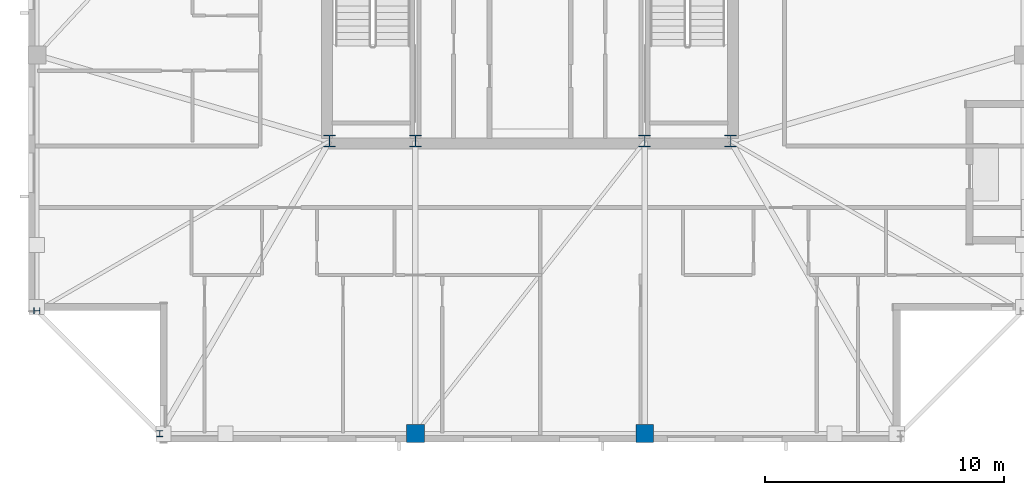
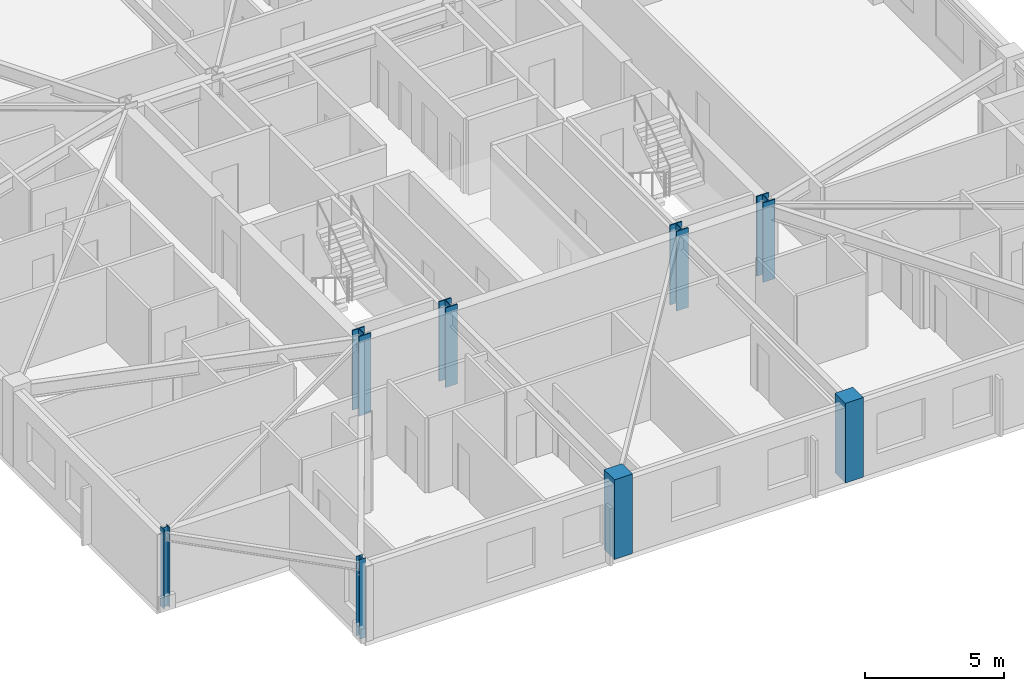
# One storey, part 1 of 15: 8 columns.
"""IFC4 building model written with IfcOpenShell, lengths in metres."""

from ifc_helpers import new_model, si_unit, direction, frame, origin, origin_2d, place, context, subcontext, project, spatial, rectangle, i_section, extrude, material, material_profile, profile_set, type_object, element, save


model = new_model("IFC4")

# Units and contexts
model_context = context("Model", 3, precision=1e-05, world=origin(), true_north=direction((0.0, 1.0)))
body_context = subcontext(model_context, "Body", "Model", "MODEL_VIEW")
ifc_project = project(units=[si_unit("LENGTHUNIT", "METRE"), si_unit("AREAUNIT", "SQUARE_METRE"), si_unit("VOLUMEUNIT", "CUBIC_METRE"), si_unit("PLANEANGLEUNIT", "RADIAN"), si_unit("MASSUNIT", "GRAM", prefix="KILO")], contexts=[model_context])

# Site, building, storey
site_placement = place(None, origin())
site = spatial("IfcSite", under=ifc_project, at=site_placement, CompositionType="ELEMENT")
building_placement = place(site_placement, origin())
building = spatial("IfcBuilding", under=site, at=building_placement, Name="Cairnveth Concourse Tower", CompositionType="ELEMENT")
storey_placement = place(building_placement, frame((0.0, 0.0, 291.0)))
storey = spatial("IfcBuildingStorey", under=building, at=storey_placement, Name="L80", CompositionType="ELEMENT", Elevation=291.0)

# Columns
ifc_material_1 = material(Name="Concrete N50 (50 MPa)", Category="concrete")
ifc_material_profile_1 = material_profile(ifc_material_1, rectangle(XDim=0.75, YDim=0.75, at=origin_2d()), Name="RC-COL-750x750")
ifc_profile_set_1 = profile_set([ifc_material_profile_1], Name="Concrete N50 (50 MPa)")
column_type_1 = type_object("IfcColumnType", Name="PERIMETER PIER COLUMN 750X750", PredefinedType="COLUMN", material=ifc_profile_set_1)
for number, where, z_axis, x_axis, name in (
    (1, (47.199951171875, 18.35009765625, 0.0), (0.0, 0.0, 1.0), (1.0, 0.0, 0.0), "Column P-S2 L80"),
    (2, (56.800048828125, 18.35009765625, 0.0), (0.0, 0.0, 1.0), (1.0, 0.0, 0.0), "Column P-S3 L80"),
):
    element("IfcColumn", number, at=place(storey_placement, frame(where, z_axis=z_axis, x_axis=x_axis)), inside=storey, type_object=column_type_1, Name=name, PredefinedType="COLUMN", context=body_context, shape_type="SweptSolid", body=[
        extrude(rectangle(XDim=0.75, YDim=0.75, at=origin_2d()), origin(), (0.0, 0.0, 1.0), 3.5),
    ])
ifc_material_2 = material(Name="Steel Grade 350", Category="steel")
ifc_material_profile_2 = material_profile(ifc_material_2, i_section(OverallWidth=0.25390625, OverallDepth=0.25390625, WebThickness=0.008544921875, FlangeThickness=0.01416015625, FilletRadius=0.012939453125, at=origin_2d()), Name="250UC72.9")
ifc_profile_set_2 = profile_set([ifc_material_profile_2], Name="Steel Grade 350")
column_type_2 = type_object("IfcColumnType", Name="UNIVERSAL STEEL COLUMN 250UC72.9", PredefinedType="COLUMN", material=ifc_profile_set_2)
for number, where, z_axis, x_axis, name in (
    (3, (36.5, 18.35009765625, 0.0), (0.0, 0.0, 1.0), (1.0, 0.0, 0.0), "Column P-S1 L80"),
    (4, (31.35009765625, 23.5, 0.0), (0.0, 0.0, 1.0), (0.0, 1.0, 0.0), "Column P-W4 L80"),
):
    element("IfcColumn", number, at=place(storey_placement, frame(where, z_axis=z_axis, x_axis=x_axis)), inside=storey, type_object=column_type_2, Name=name, PredefinedType="COLUMN", context=body_context, shape_type="SweptSolid", body=[
        extrude(i_section(OverallWidth=0.25390625, OverallDepth=0.25390625, WebThickness=0.008544921875, FlangeThickness=0.01416015625, FilletRadius=0.012939453125, at=origin_2d()), origin(), (0.0, 0.0, 1.0), 3.5),
    ])
ifc_material_profile_3 = material_profile(ifc_material_2, i_section(OverallWidth=0.5, OverallDepth=0.5, WebThickness=0.028076171875, FlangeThickness=0.044921875, at=origin_2d()), Name="500WC383")
ifc_profile_set_3 = profile_set([ifc_material_profile_3], Name="Steel Grade 350")
column_type_3 = type_object("IfcColumnType", Name="WELDED STEEL COLUMN 500WC383", PredefinedType="COLUMN", material=ifc_profile_set_3)
for number, where, z_axis, x_axis, name in (
    (5, (43.60009765625, 30.60009765625, 0.0), (0.0, 0.0, 1.0), (1.0, 0.0, 0.0), "Column CC1 L80"),
    (6, (47.199951171875, 30.60009765625, 0.0), (0.0, 0.0, 1.0), (1.0, 0.0, 0.0), "Column CC2 L80"),
    (7, (56.800048828125, 30.60009765625, 0.0), (0.0, 0.0, 1.0), (1.0, 0.0, 0.0), "Column CC3 L80"),
    (8, (60.39990234375, 30.60009765625, 0.0), (0.0, 0.0, 1.0), (1.0, 0.0, 0.0), "Column CC4 L80"),
):
    element("IfcColumn", number, at=place(storey_placement, frame(where, z_axis=z_axis, x_axis=x_axis)), inside=storey, type_object=column_type_3, Name=name, PredefinedType="COLUMN", context=body_context, shape_type="SweptSolid", body=[
        extrude(i_section(OverallWidth=0.5, OverallDepth=0.5, WebThickness=0.028076171875, FlangeThickness=0.044921875, at=origin_2d()), origin(), (0.0, 0.0, 1.0), 3.5),
    ])

save(model, "model.ifc")
